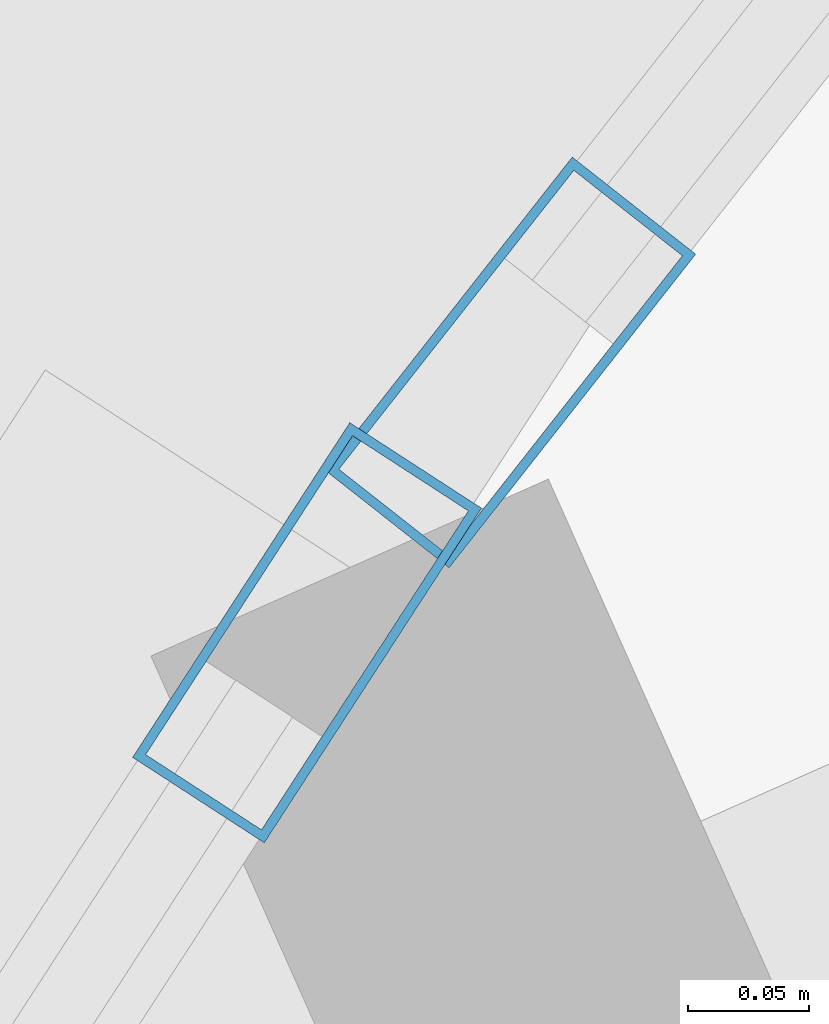
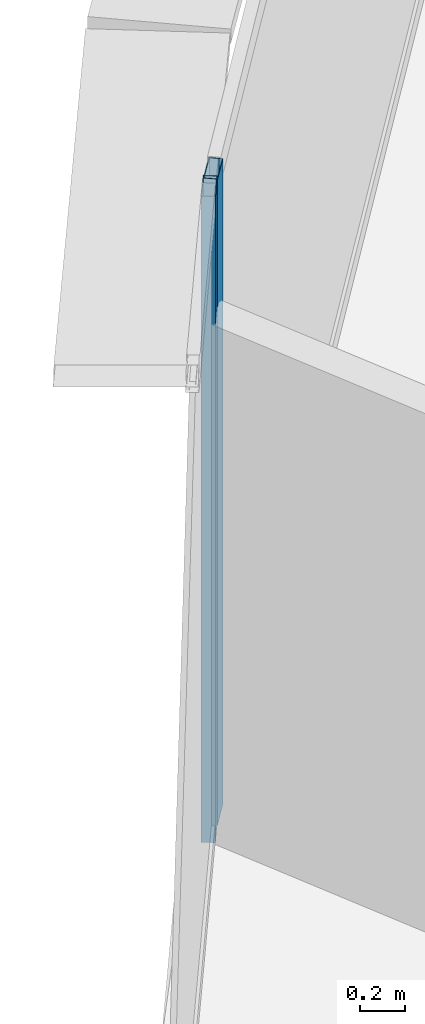
# One storey, part 16 of 37: 2 members, 2 elements without a shape of their own.
"""IFC4 building model written with IfcOpenShell, lengths in metres."""

from ifc_helpers import new_model, si_unit, direction, frame, origin, origin_2d, place, context, subcontext, project, spatial, hollow_rectangle, extrude, source, transform, mapped, material, layer, layer_set, material_profile, profile_set, type_object, element, aggregate, save


model = new_model("IFC4")

# Units and contexts
model_context = context("Model", 3, precision=1e-05, world=origin(), true_north=direction((0.0, 1.0)))
body_context = subcontext(model_context, "Body", "Model", "MODEL_VIEW")
ifc_project = project(units=[si_unit("LENGTHUNIT", "METRE"), si_unit("AREAUNIT", "SQUARE_METRE"), si_unit("VOLUMEUNIT", "CUBIC_METRE"), si_unit("PLANEANGLEUNIT", "RADIAN"), si_unit("MASSUNIT", "GRAM", prefix="KILO"), si_unit("THERMODYNAMICTEMPERATUREUNIT", "KELVIN"), si_unit("POWERUNIT", "WATT")], contexts=[model_context])

# Site, building, storey
site_placement = place(None, origin())
site = spatial("IfcSite", under=ifc_project, at=site_placement, CompositionType="ELEMENT")
building_placement = place(site_placement, origin())
building = spatial("IfcBuilding", under=site, at=building_placement, Name="Yunzhuo Pagoda Commons", CompositionType="ELEMENT")
storey_placement = place(building_placement, frame((0.0, 0.0, 84.97998046875)))
storey = spatial("IfcBuildingStorey", under=building, at=storey_placement, Name="L21", CompositionType="ELEMENT", Elevation=84.97998046875)

# Curtain wall, member
ifc_material = material(Name="Anodized aluminium 6063-T6", Category="aluminium")
ifc_layer = layer(ifc_material, 0.1650390625)
ifc_layer_set = layer_set([ifc_layer], Name="Anodized aluminium 6063-T6")
curtain_wall_type = type_object("IfcCurtainWallType", Name="CW-LOW Low-Zone Ribbon Curtain Wall", PredefinedType="NOTDEFINED", material=ifc_layer_set)
curtain_wall_1_placement = place(storey_placement, origin())
curtain_wall_1 = element("IfcCurtainWall", 1, at=curtain_wall_1_placement, inside=storey, type_object=curtain_wall_type, Name="L21 curtain wall CW-L21-F3B2", PredefinedType="NOTDEFINED")
ifc_material_profile = material_profile(ifc_material, hollow_rectangle(XDim=0.06494140625, YDim=0.1650390625, WallThickness=0.00390625, at=origin_2d()), Name="Anodized aluminium 6063-T6")
ifc_profile_set = profile_set([ifc_material_profile], Name="Anodized aluminium 6063-T6")
member_type = type_object("IfcMemberType", Name="CW-LOW-M Mullion RHS 165x65x4", PredefinedType="MULLION", material=ifc_profile_set)
shared_shape = source(origin(), body_context, "Body", "SweptSolid", [
    extrude(hollow_rectangle(XDim=0.06494140625, YDim=0.1650390625, WallThickness=0.00390625, at=origin_2d()), origin(), (0.0, 0.0, 1.0), 3.5400390625),
])
member_1_placement = place(storey_placement, frame((31.078369140625, 71.639892578125, 0.000244140625), z_axis=(0.0, 0.0, 1.0), x_axis=(0.838906636672, -0.544275348466, 0.0)))
member_1 = element("IfcMember", 2, at=member_1_placement, type_object=member_type, Name="CW mullion 1", PredefinedType="MULLION", context=body_context, shape_type="MappedRepresentation", body=[
    mapped(shared_shape, transform((0.0, 0.0, 0.0), scale=1.0)),
])
aggregate(curtain_wall_1, [member_1])

curtain_wall_2_placement = place(storey_placement, origin())
curtain_wall_2 = element("IfcCurtainWall", 3, at=curtain_wall_2_placement, inside=storey, type_object=curtain_wall_type, Name="L21 curtain wall CW-L21-F3B1", PredefinedType="NOTDEFINED")
member_2_placement = place(storey_placement, frame((31.16259765625, 71.751708984375, 0.000244140625), z_axis=(0.0, 0.0, 1.0), x_axis=(0.786130948635, -0.618059974111, 0.0)))
member_2 = element("IfcMember", 4, at=member_2_placement, type_object=member_type, Name="CW mullion 2", PredefinedType="MULLION", context=body_context, shape_type="MappedRepresentation", body=[
    mapped(shared_shape, transform((0.0, 0.0, 0.0), scale=1.0)),
])
aggregate(curtain_wall_2, [member_2])

save(model, "model.ifc")
